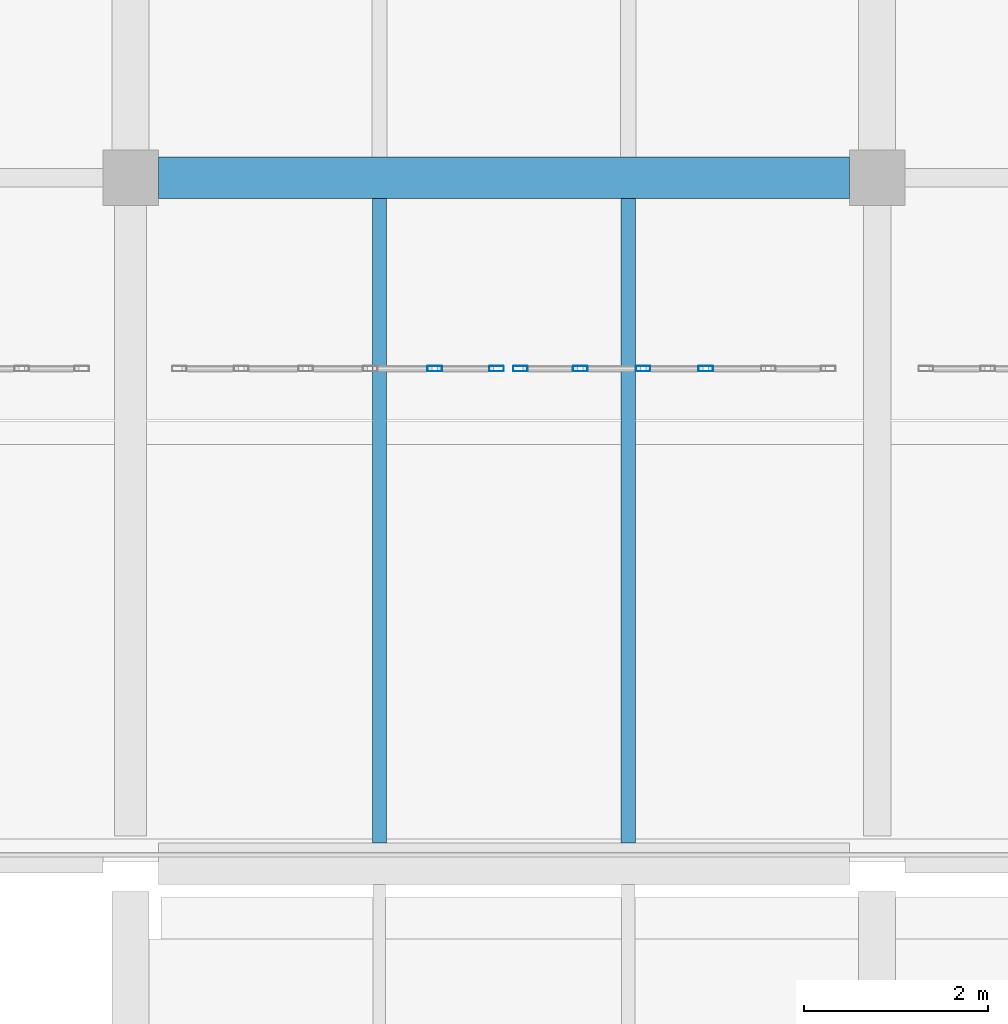
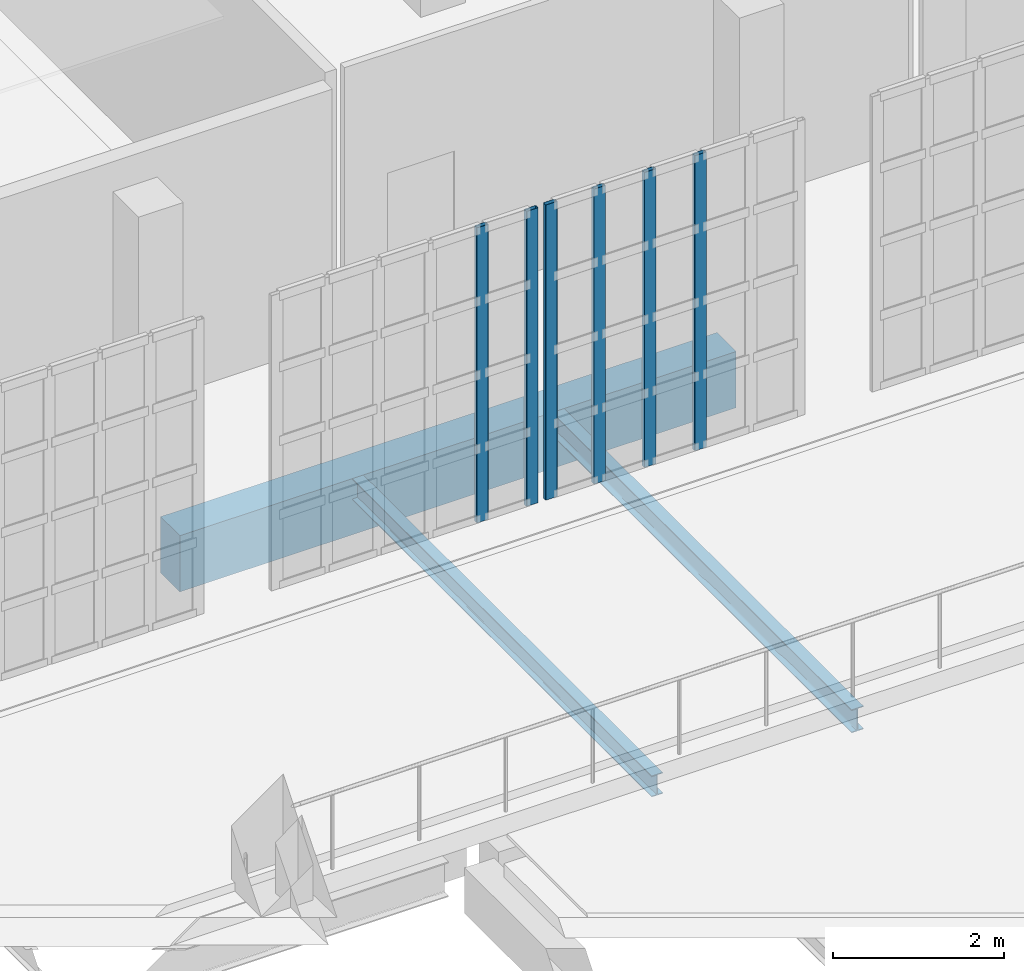
# One storey, part 23 of 73: 6 members, 3 beams, 2 elements without a shape of their own.
"""IFC4 building model written with IfcOpenShell, lengths in metres."""

from ifc_helpers import new_model, si_unit, direction, frame, origin, origin_2d, place, context, subcontext, project, spatial, rectangle, hollow_rectangle, i_section, extrude, material, material_profile, profile_set, type_object, element, aggregate, save


model = new_model("IFC4")

# Units and contexts
model_context = context("Model", 3, precision=1e-05, world=origin(), true_north=direction((0.0, 1.0)))
body_context = subcontext(model_context, "Body", "Model", "MODEL_VIEW")
ifc_project = project(units=[si_unit("LENGTHUNIT", "METRE"), si_unit("AREAUNIT", "SQUARE_METRE"), si_unit("VOLUMEUNIT", "CUBIC_METRE"), si_unit("PLANEANGLEUNIT", "RADIAN"), si_unit("MASSUNIT", "GRAM", prefix="KILO")], contexts=[model_context])

# Site, building, storey
site_placement = place(None, origin())
site = spatial("IfcSite", under=ifc_project, at=site_placement, CompositionType="ELEMENT")
building_placement = place(site_placement, origin())
building = spatial("IfcBuilding", under=site, at=building_placement, Name="Kaelora Sail Theatre", CompositionType="ELEMENT")
storey_placement = place(building_placement, frame((0.0, 0.0, 10.199951171875)))
storey = spatial("IfcBuildingStorey", under=building, at=storey_placement, Name="L02", CompositionType="ELEMENT", Elevation=10.199951171875)

# Curtain wall, members
ifc_material_1 = material(Name="Anodised aluminium and solar-control low-E IGU", Category="aluminium")
curtain_wall_type = type_object("IfcCurtainWallType", Name="ARC-CW-CW-BRG", PredefinedType="NOTDEFINED", material=ifc_material_1)
curtain_wall_1_placement = place(storey_placement, origin())
curtain_wall_1 = element("IfcCurtainWall", 1, at=curtain_wall_1_placement, inside=storey, type_object=curtain_wall_type, Name="Glazed Foyer/Conservatory Curtain Wall FC2-S-L02-04", PredefinedType="NOTDEFINED")
ifc_material_2 = material(Name="Anodised aluminium 6063-T6", Category="aluminium")
ifc_material_profile_1 = material_profile(ifc_material_2, hollow_rectangle(XDim=0.06005859375, YDim=0.159912109375, WallThickness=0.00390625, InnerFilletRadius=0.00390625, OuterFilletRadius=0.008056640625, at=origin_2d()), Name="ALU-MULL 60x160x4")
ifc_profile_set_1 = profile_set([ifc_material_profile_1], Name="Anodised aluminium 6063-T6")
member_type = type_object("IfcMemberType", Name="ARC-MEM-ML-160", PredefinedType="MULLION", material=ifc_profile_set_1)
member_1_placement = place(storey_placement, frame((110.10009765625, 66.389892578125, 0.0), z_axis=(0.0, 0.0, 1.0), x_axis=(0.0, 1.0, 0.0)))
member_1 = element("IfcMember", 2, at=member_1_placement, type_object=member_type, Name="CW-BRG mullion 5", PredefinedType="MULLION", context=body_context, shape_type="SweptSolid", body=[
    extrude(hollow_rectangle(XDim=0.06005859375, YDim=0.159912109375, WallThickness=0.00390625, InnerFilletRadius=0.00390625, OuterFilletRadius=0.008056640625, at=origin_2d()), origin(), (0.0, 0.0, 1.0), 4.205078125),
])
member_2_placement = place(storey_placement, frame((110.77001953125, 66.389892578125, 0.0), z_axis=(0.0, 0.0, 1.0), x_axis=(0.0, 1.0, 0.0)))
member_2 = element("IfcMember", 3, at=member_2_placement, type_object=member_type, Name="CW-BRG mullion 6", PredefinedType="MULLION", context=body_context, shape_type="SweptSolid", body=[
    extrude(hollow_rectangle(XDim=0.06005859375, YDim=0.159912109375, WallThickness=0.00390625, InnerFilletRadius=0.00390625, OuterFilletRadius=0.008056640625, at=origin_2d()), origin(), (0.0, 0.0, 1.0), 4.205078125),
])
aggregate(curtain_wall_1, [member_1, member_2])

curtain_wall_2_placement = place(storey_placement, origin())
curtain_wall_2 = element("IfcCurtainWall", 4, at=curtain_wall_2_placement, inside=storey, type_object=curtain_wall_type, Name="Glazed Foyer/Conservatory Curtain Wall FC2-S-L02-05", PredefinedType="NOTDEFINED")
member_3_placement = place(storey_placement, frame((111.030029296875, 66.389892578125, 0.0), z_axis=(0.0, 0.0, 1.0), x_axis=(0.0, 1.0, 0.0)))
member_3 = element("IfcMember", 5, at=member_3_placement, type_object=member_type, Name="CW-BRG mullion 1", PredefinedType="MULLION", context=body_context, shape_type="SweptSolid", body=[
    extrude(hollow_rectangle(XDim=0.06005859375, YDim=0.159912109375, WallThickness=0.00390625, InnerFilletRadius=0.00390625, OuterFilletRadius=0.008056640625, at=origin_2d()), origin(), (0.0, 0.0, 1.0), 4.205078125),
])
member_4_placement = place(storey_placement, frame((111.679931640625, 66.389892578125, 0.0), z_axis=(0.0, 0.0, 1.0), x_axis=(0.0, 1.0, 0.0)))
member_4 = element("IfcMember", 6, at=member_4_placement, type_object=member_type, Name="CW-BRG mullion 2", PredefinedType="MULLION", context=body_context, shape_type="SweptSolid", body=[
    extrude(hollow_rectangle(XDim=0.06005859375, YDim=0.159912109375, WallThickness=0.00390625, InnerFilletRadius=0.00390625, OuterFilletRadius=0.008056640625, at=origin_2d()), origin(), (0.0, 0.0, 1.0), 4.205078125),
])
member_5_placement = place(storey_placement, frame((112.360107421875, 66.389892578125, 0.0), z_axis=(0.0, 0.0, 1.0), x_axis=(0.0, 1.0, 0.0)))
member_5 = element("IfcMember", 7, at=member_5_placement, type_object=member_type, Name="CW-BRG mullion 3", PredefinedType="MULLION", context=body_context, shape_type="SweptSolid", body=[
    extrude(hollow_rectangle(XDim=0.06005859375, YDim=0.159912109375, WallThickness=0.00390625, InnerFilletRadius=0.00390625, OuterFilletRadius=0.008056640625, at=origin_2d()), origin(), (0.0, 0.0, 1.0), 4.205078125),
])
member_6_placement = place(storey_placement, frame((113.0400390625, 66.389892578125, 0.0), z_axis=(0.0, 0.0, 1.0), x_axis=(0.0, 1.0, 0.0)))
member_6 = element("IfcMember", 8, at=member_6_placement, type_object=member_type, Name="CW-BRG mullion 4", PredefinedType="MULLION", context=body_context, shape_type="SweptSolid", body=[
    extrude(hollow_rectangle(XDim=0.06005859375, YDim=0.159912109375, WallThickness=0.00390625, InnerFilletRadius=0.00390625, OuterFilletRadius=0.008056640625, at=origin_2d()), origin(), (0.0, 0.0, 1.0), 4.205078125),
])
aggregate(curtain_wall_2, [member_3, member_4, member_5, member_6])

# Beams
ifc_material_3 = material(Name="Concrete C45/55", Category="concrete")
ifc_material_profile_2 = material_profile(ifc_material_3, rectangle(XDim=0.449951171875, YDim=0.800048828125, at=origin_2d()), Name="RC-BM 450x800")
ifc_profile_set_2 = profile_set([ifc_material_profile_2], Name="Concrete C45/55")
beam_type_1 = type_object("IfcBeamType", Name="STR-BM-BM-RC4580", PredefinedType="BEAM", material=ifc_profile_set_2)
beam_1_placement = place(storey_placement, frame((107.10009765625, 68.4599609375, -0.695068359375), z_axis=(1.0, 0.0, 0.0), x_axis=(0.0, 1.0, 0.0)))
element("IfcBeam", 9, at=beam_1_placement, inside=storey, type_object=beam_type_1, Name="Primary beam J 14-15 (L02)", PredefinedType="BEAM", context=body_context, shape_type="SweptSolid", body=[
    extrude(rectangle(XDim=0.449951171875, YDim=0.800048828125, at=origin_2d()), origin(), (0.0, 0.0, 1.0), 7.5),
])
ifc_material_4 = material(Name="Steel S355", Category="steel")
ifc_material_profile_3 = material_profile(ifc_material_4, i_section(OverallWidth=0.14990234375, OverallDepth=0.300048828125, WebThickness=0.007080078125, FlangeThickness=0.0107421875, FilletRadius=0.014892578125, at=origin_2d()), Name="IPE 300")
ifc_profile_set_3 = profile_set([ifc_material_profile_3], Name="Steel S355")
beam_type_2 = type_object("IfcBeamType", Name="STR-BM-JS-IPE300", PredefinedType="JOIST", material=ifc_profile_set_3)
beam_2_placement = place(storey_placement, frame((109.5, 61.2451171875, -0.445068359375), z_axis=(0.0, 1.0, 0.0), x_axis=(-1.0, 0.0, 0.0)))
element("IfcBeam", 10, at=beam_2_placement, inside=storey, type_object=beam_type_2, Name="Secondary floor joist 14/I-1 (L02)", PredefinedType="JOIST", context=body_context, shape_type="SweptSolid", body=[
    extrude(i_section(OverallWidth=0.14990234375, OverallDepth=0.300048828125, WebThickness=0.007080078125, FlangeThickness=0.0107421875, FilletRadius=0.014892578125, at=origin_2d()), origin(), (0.0, 0.0, 1.0), 6.989990234375),
])
ifc_material_5 = material(Name="Steel S355", Category="steel")
ifc_material_profile_4 = material_profile(ifc_material_5, i_section(OverallWidth=0.159912109375, OverallDepth=0.330078125, WebThickness=0.007568359375, FlangeThickness=0.011474609375, FilletRadius=0.01806640625, at=origin_2d()), Name="IPE 330")
ifc_profile_set_4 = profile_set([ifc_material_profile_4], Name="Steel S355")
beam_type_3 = type_object("IfcBeamType", Name="STR-BM-JS-IPE330", PredefinedType="JOIST", material=ifc_profile_set_4)
beam_3_placement = place(storey_placement, frame((112.199951171875, 61.2451171875, -0.4599609375), z_axis=(0.0, 1.0, 0.0), x_axis=(-1.0, 0.0, 0.0)))
element("IfcBeam", 11, at=beam_3_placement, inside=storey, type_object=beam_type_3, Name="Secondary floor joist 14/I-2 (L02)", PredefinedType="JOIST", context=body_context, shape_type="SweptSolid", body=[
    extrude(i_section(OverallWidth=0.159912109375, OverallDepth=0.330078125, WebThickness=0.007568359375, FlangeThickness=0.011474609375, FilletRadius=0.01806640625, at=origin_2d()), origin(), (0.0, 0.0, 1.0), 6.989990234375),
])

save(model, "model.ifc")
